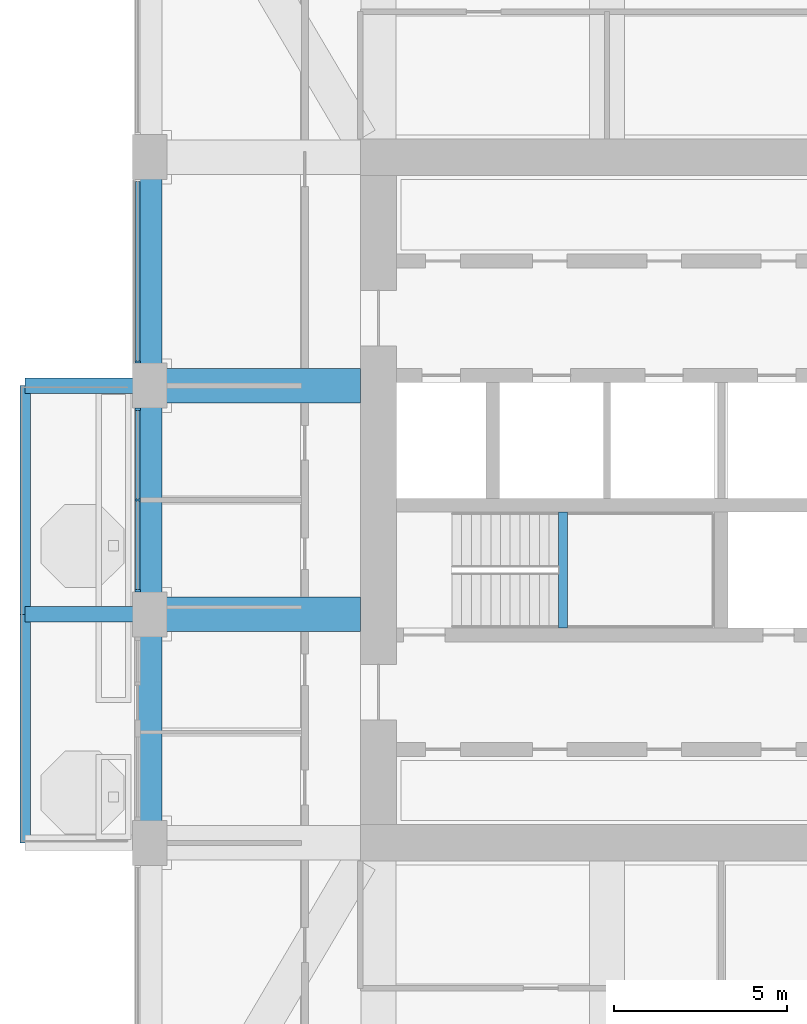
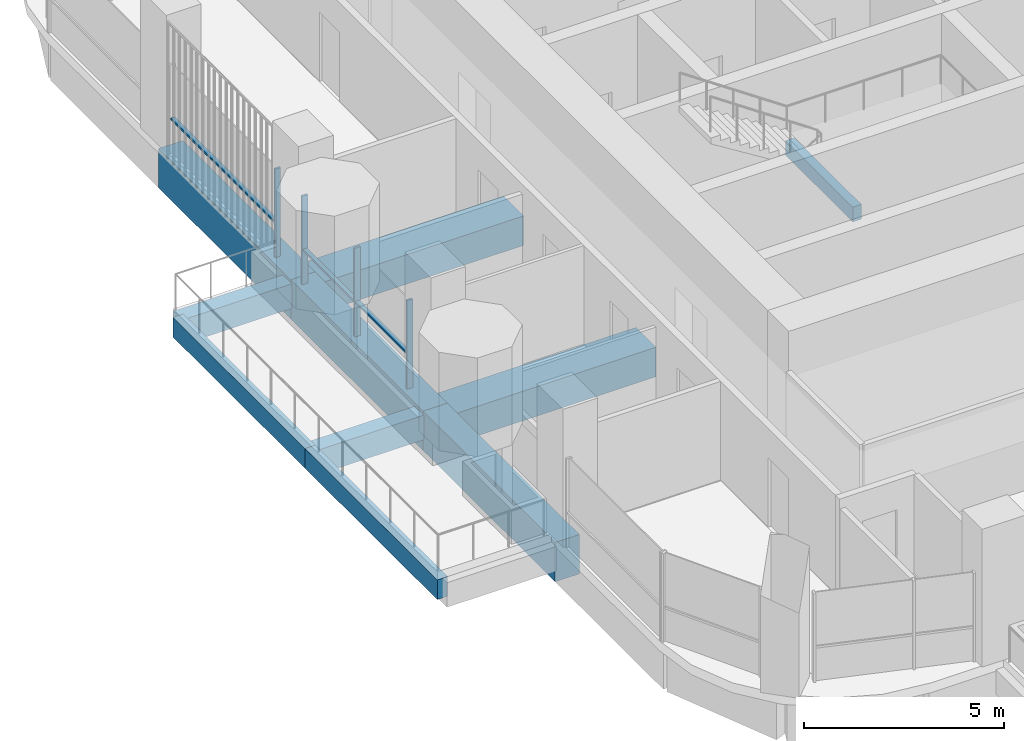
# One storey, part 3 of 20: 10 beams, 7 members, 2 elements without a shape of their own.
"""IFC4 building model written with IfcOpenShell, lengths in metres."""

from ifc_helpers import new_model, si_unit, direction, frame, origin, origin_2d, place, context, subcontext, project, spatial, rectangle, extrude, material, material_profile, profile_set, type_object, element, aggregate, save


model = new_model("IFC4")

# Units and contexts
model_context = context("Model", 3, precision=1e-05, world=origin(), true_north=direction((0.0, 1.0)))
body_context = subcontext(model_context, "Body", "Model", "MODEL_VIEW")
ifc_project = project(units=[si_unit("LENGTHUNIT", "METRE"), si_unit("AREAUNIT", "SQUARE_METRE"), si_unit("VOLUMEUNIT", "CUBIC_METRE"), si_unit("PLANEANGLEUNIT", "RADIAN"), si_unit("MASSUNIT", "GRAM", prefix="KILO")], contexts=[model_context])

# Site, building, storey
site_placement = place(None, origin())
site = spatial("IfcSite", under=ifc_project, at=site_placement, CompositionType="ELEMENT")
building_placement = place(site_placement, origin())
building = spatial("IfcBuilding", under=site, at=building_placement, Name="Cobogo Forest Laboratory Tower", CompositionType="ELEMENT")
storey_placement = place(building_placement, frame((0.0, 0.0, 254.39990234375)))
storey = spatial("IfcBuildingStorey", under=building, at=storey_placement, Name="L58", CompositionType="ELEMENT", Elevation=254.39990234375)

# Beams
ifc_material_1 = material(Name="Concrete HA-40 (C40/50)", Category="concrete")
ifc_material_profile_1 = material_profile(ifc_material_1, rectangle(XDim=0.449951171875, YDim=0.75, at=origin_2d()), Name="RC 450x750")
ifc_profile_set_1 = profile_set([ifc_material_profile_1], Name="Concrete HA-40 (C40/50)")
beam_type_1 = type_object("IfcBeamType", Name="Balcony cantilever beam 450x750", PredefinedType="BEAM", material=ifc_profile_set_1)
for number, where, z_axis, x_axis, name in (
    (1, (6.14990234375, 19.800048828125, -0.625), (-1.0, 0.0, 0.0), (0.0, -1.0, 0.0), "CB1 BAL-W1-C2 L58"),
    (2, (6.14990234375, 26.39990234375, -0.625), (-1.0, 0.0, 0.0), (0.0, -1.0, 0.0), "CB1 BAL-W1-C3 L58"),
):
    element("IfcBeam", number, at=place(storey_placement, frame(where, z_axis=z_axis, x_axis=x_axis)), inside=storey, type_object=beam_type_1, Name=name, PredefinedType="BEAM", context=body_context, shape_type="SweptSolid", body=[
        extrude(rectangle(XDim=0.449951171875, YDim=0.75, at=origin_2d()), origin(), (0.0, 0.0, 1.0), 3.14990234375),
    ])
ifc_material_profile_2 = material_profile(ifc_material_1, rectangle(XDim=0.300048828125, YDim=0.60009765625, at=origin_2d()), Name="RC 300x600")
ifc_profile_set_2 = profile_set([ifc_material_profile_2], Name="Concrete HA-40 (C40/50)")
beam_type_2 = type_object("IfcBeamType", Name="Balcony edge beam 300x600", PredefinedType="BEAM", material=ifc_profile_set_2)
beam_1_placement = place(storey_placement, frame((3.0, 13.199951171875, -0.5498046875), z_axis=(0.0, 1.0, 0.0), x_axis=(-1.0, 0.0, 0.0)))
element("IfcBeam", 3, at=beam_1_placement, inside=storey, type_object=beam_type_2, Name="BB1 BAL-W1-T1 L58", PredefinedType="BEAM", context=body_context, shape_type="SweptSolid", body=[
    extrude(rectangle(XDim=0.300048828125, YDim=0.60009765625, at=origin_2d()), origin(), (0.0, 0.0, 1.0), 6.60009765625),
])
beam_2_placement = place(storey_placement, frame((3.0, 19.800048828125, -0.5498046875), z_axis=(0.0, 1.0, 0.0), x_axis=(-1.0, 0.0, 0.0)))
element("IfcBeam", 4, at=beam_2_placement, inside=storey, type_object=beam_type_2, Name="BB1 BAL-W1-T2 L58", PredefinedType="BEAM", context=body_context, shape_type="SweptSolid", body=[
    extrude(rectangle(XDim=0.300048828125, YDim=0.60009765625, at=origin_2d()), origin(), (0.0, 0.0, 1.0), 6.599853515625),
])
ifc_material_profile_3 = material_profile(ifc_material_1, rectangle(XDim=0.25, YDim=0.449951171875, at=origin_2d()), Name="RC 250x450")
ifc_profile_set_3 = profile_set([ifc_material_profile_3], Name="Concrete HA-40 (C40/50)")
beam_type_3 = type_object("IfcBeamType", Name="LB1 landing beam 250x450", PredefinedType="BEAM", material=ifc_profile_set_3)
beam_3_placement = place(storey_placement, frame((18.530029296875, 19.39990234375, 1.675048828125), z_axis=(0.0, 1.0, 0.0), x_axis=(-1.0, 0.0, 0.0)))
element("IfcBeam", 5, at=beam_3_placement, inside=storey, type_object=beam_type_3, Name="Landing beam ST1 L58", PredefinedType="BEAM", context=body_context, shape_type="SweptSolid", body=[
    extrude(rectangle(XDim=0.25, YDim=0.449951171875, at=origin_2d()), origin(), (0.0, 0.0, 1.0), 3.35009765625),
])

# Curtain wall, member
ifc_material_2 = material(Name="Aluminium curtain wall", Category="aluminium")
curtain_wall_type = type_object("IfcCurtainWallType", Name="CW-2 unitised curtain wall, solar control glazing, laboratory floors zones C and D", PredefinedType="USERDEFINED", material=ifc_material_2)
curtain_wall_1_placement = place(storey_placement, origin())
curtain_wall_1 = element("IfcCurtainWall", 6, at=curtain_wall_1_placement, inside=storey, type_object=curtain_wall_type, Name="Curtain wall 21 L58", ObjectType="UNITISED CURTAIN WALL", PredefinedType="USERDEFINED")
ifc_material_3 = material(Name="Aluminium mullion", Category="aluminium")
ifc_material_profile_4 = material_profile(ifc_material_3, rectangle(XDim=0.06005859375, YDim=0.159912109375, at=origin_2d()), Name="AL 60x160")
ifc_profile_set_4 = profile_set([ifc_material_profile_4], Name="Aluminium mullion")
member_type_1 = type_object("IfcMemberType", Name="MU-1 aluminium mullion 60x160", PredefinedType="MULLION", material=ifc_profile_set_4)
member_1_placement = place(storey_placement, frame((6.25, 27.080078125, 0.0), z_axis=(0.0, 0.0, 1.0), x_axis=(0.0, -1.0, 0.0)))
member_1 = element("IfcMember", 7, at=member_1_placement, type_object=member_type_1, Name="CW-2 mullion 2", PredefinedType="MULLION", context=body_context, shape_type="SweptSolid", body=[
    extrude(rectangle(XDim=0.06005859375, YDim=0.159912109375, at=origin_2d()), origin(), (0.0, 0.0, 1.0), 2.7001953125),
])

# Curtain wall, members
curtain_wall_2_placement = place(storey_placement, origin())
curtain_wall_2 = element("IfcCurtainWall", 8, at=curtain_wall_2_placement, inside=storey, type_object=curtain_wall_type, Name="Curtain wall 22 L58", ObjectType="UNITISED CURTAIN WALL", PredefinedType="USERDEFINED")
member_2_placement = place(storey_placement, frame((6.25, 25.719970703125, 0.0), z_axis=(0.0, 0.0, 1.0), x_axis=(0.0, -1.0, 0.0)))
member_2 = element("IfcMember", 9, at=member_2_placement, type_object=member_type_1, Name="CW-2 mullion 1", PredefinedType="MULLION", context=body_context, shape_type="SweptSolid", body=[
    extrude(rectangle(XDim=0.06005859375, YDim=0.159912109375, at=origin_2d()), origin(), (0.0, 0.0, 1.0), 2.7001953125),
])
member_3_placement = place(storey_placement, frame((6.25, 23.10009765625, 0.0), z_axis=(0.0, 0.0, 1.0), x_axis=(0.0, -1.0, 0.0)))
member_3 = element("IfcMember", 10, at=member_3_placement, type_object=member_type_1, Name="CW-2 mullion 2", PredefinedType="MULLION", context=body_context, shape_type="SweptSolid", body=[
    extrude(rectangle(XDim=0.06005859375, YDim=0.159912109375, at=origin_2d()), origin(), (0.0, 0.0, 1.0), 2.7001953125),
])
member_4_placement = place(storey_placement, frame((6.25, 20.47998046875, 0.0), z_axis=(0.0, 0.0, 1.0), x_axis=(0.0, -1.0, 0.0)))
member_4 = element("IfcMember", 11, at=member_4_placement, type_object=member_type_1, Name="CW-2 mullion 3", PredefinedType="MULLION", context=body_context, shape_type="SweptSolid", body=[
    extrude(rectangle(XDim=0.06005859375, YDim=0.159912109375, at=origin_2d()), origin(), (0.0, 0.0, 1.0), 2.7001953125),
])

# Beams
ifc_material_profile_5 = material_profile(ifc_material_1, rectangle(XDim=1.0, YDim=0.89990234375, at=origin_2d()), Name="RC 1000x900")
ifc_profile_set_5 = profile_set([ifc_material_profile_5], Name="Concrete HA-40 (C40/50)")
beam_type_4 = type_object("IfcBeamType", Name="Office floor wide beam 1000x900", PredefinedType="BEAM", material=ifc_profile_set_5)
for number, where, z_axis, x_axis, name in (
    (12, (12.675048828125, 19.800048828125, -0.75), (-1.0, 0.0, 0.0), (0.0, -1.0, 0.0), "RB2 R-D-W L58"),
    (13, (12.675048828125, 26.39990234375, -0.75), (-1.0, 0.0, 0.0), (0.0, -1.0, 0.0), "RB2 R-E-W L58"),
):
    element("IfcBeam", number, at=place(storey_placement, frame(where, z_axis=z_axis, x_axis=x_axis)), inside=storey, type_object=beam_type_4, Name=name, PredefinedType="BEAM", context=body_context, shape_type="SweptSolid", body=[
        extrude(rectangle(XDim=1.0, YDim=0.89990234375, at=origin_2d()), origin(), (0.0, 0.0, 1.0), 6.074951171875),
    ])
ifc_material_profile_6 = material_profile(ifc_material_1, rectangle(XDim=0.699951171875, YDim=1.199951171875, at=origin_2d()), Name="RC 700x1200")
ifc_profile_set_6 = profile_set([ifc_material_profile_6], Name="Concrete HA-40 (C40/50)")
beam_type_5 = type_object("IfcBeamType", Name="Perimeter edge beam 700x1200", PredefinedType="BEAM", material=ifc_profile_set_6)
beam_4_placement = place(storey_placement, frame((6.60009765625, 13.199951171875, -0.89990234375), z_axis=(0.0, 1.0, 0.0), x_axis=(-1.0, 0.0, 0.0)))
element("IfcBeam", 14, at=beam_4_placement, inside=storey, type_object=beam_type_5, Name="EB1 E-W1 L58", PredefinedType="BEAM", context=body_context, shape_type="SweptSolid", body=[
    extrude(rectangle(XDim=0.699951171875, YDim=1.199951171875, at=origin_2d()), origin(), (0.0, 0.0, 1.0), 6.60009765625),
])
beam_5_placement = place(storey_placement, frame((6.60009765625, 19.800048828125, -0.89990234375), z_axis=(0.0, 1.0, 0.0), x_axis=(-1.0, 0.0, 0.0)))
element("IfcBeam", 15, at=beam_5_placement, inside=storey, type_object=beam_type_5, Name="EB1 E-W2 L58", PredefinedType="BEAM", context=body_context, shape_type="SweptSolid", body=[
    extrude(rectangle(XDim=0.699951171875, YDim=1.199951171875, at=origin_2d()), origin(), (0.0, 0.0, 1.0), 6.599853515625),
])
beam_6_placement = place(storey_placement, frame((6.60009765625, 26.39990234375, -0.89990234375), z_axis=(0.0, 1.0, 0.0), x_axis=(-1.0, 0.0, 0.0)))
element("IfcBeam", 16, at=beam_6_placement, inside=storey, type_object=beam_type_5, Name="EB1 E-W3 L58", PredefinedType="BEAM", context=body_context, shape_type="SweptSolid", body=[
    extrude(rectangle(XDim=0.699951171875, YDim=1.199951171875, at=origin_2d()), origin(), (0.0, 0.0, 1.0), 6.60009765625),
])

# Member
ifc_material_4 = material(Name="Aluminium transom", Category="aluminium")
ifc_material_profile_7 = material_profile(ifc_material_4, rectangle(XDim=0.1201171875, YDim=0.06005859375, at=origin_2d()), Name="AL 60x120")
ifc_profile_set_7 = profile_set([ifc_material_profile_7], Name="Aluminium transom")
member_type_2 = type_object("IfcMemberType", Name="TR-1 aluminium transom 60x120", PredefinedType="USERDEFINED", material=ifc_profile_set_7)
member_5_placement = place(storey_placement, frame((6.25, 32.2900390625, 1.050048828125), z_axis=(0.0, -1.0, 0.0), x_axis=(1.0, 0.0, 0.0)))
member_5 = element("IfcMember", 17, at=member_5_placement, type_object=member_type_2, Name="CW-2 transom 1.1", ObjectType="TRANSOM", PredefinedType="USERDEFINED", context=body_context, shape_type="SweptSolid", body=[
    extrude(rectangle(XDim=0.1201171875, YDim=0.06005859375, at=origin_2d()), origin(), (0.0, 0.0, 1.0), 5.179931640625),
])

aggregate(curtain_wall_1, [member_1, member_5])

member_6_placement = place(storey_placement, frame((6.25, 25.68994140625, 1.050048828125), z_axis=(0.0, -1.0, 0.0), x_axis=(1.0, 0.0, 0.0)))
member_6 = element("IfcMember", 18, at=member_6_placement, type_object=member_type_2, Name="CW-2 transom 1.1", ObjectType="TRANSOM", PredefinedType="USERDEFINED", context=body_context, shape_type="SweptSolid", body=[
    extrude(rectangle(XDim=0.1201171875, YDim=0.06005859375, at=origin_2d()), origin(), (0.0, 0.0, 1.0), 2.56005859375),
])

member_7_placement = place(storey_placement, frame((6.25, 23.070068359375, 1.050048828125), z_axis=(0.0, -1.0, 0.0), x_axis=(1.0, 0.0, 0.0)))
member_7 = element("IfcMember", 19, at=member_7_placement, type_object=member_type_2, Name="CW-2 transom 2.1", ObjectType="TRANSOM", PredefinedType="USERDEFINED", context=body_context, shape_type="SweptSolid", body=[
    extrude(rectangle(XDim=0.1201171875, YDim=0.06005859375, at=origin_2d()), origin(), (0.0, 0.0, 1.0), 2.56005859375),
])

aggregate(curtain_wall_2, [member_2, member_3, member_4, member_6, member_7])

save(model, "model.ifc")
